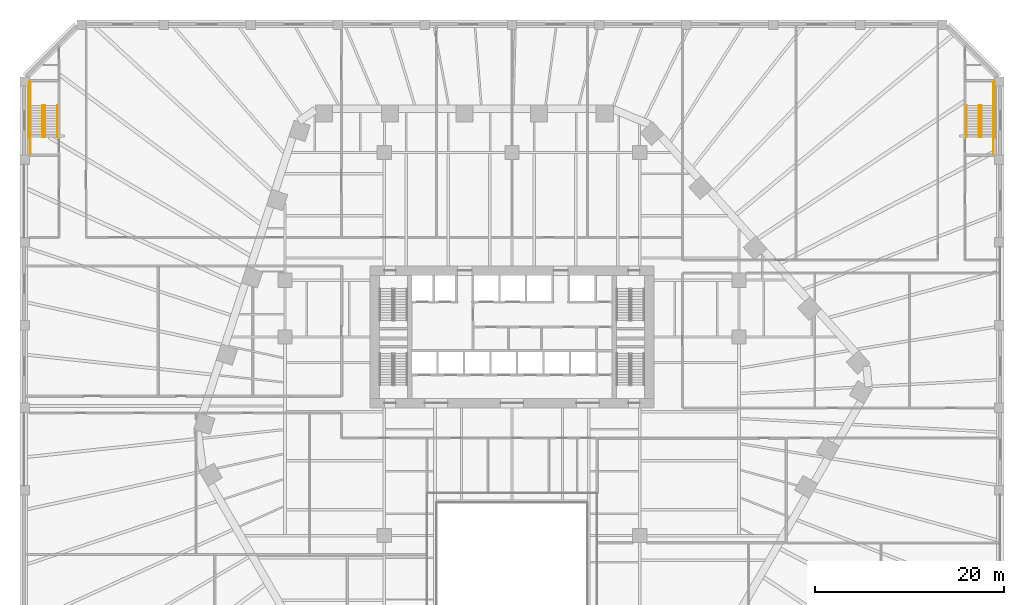
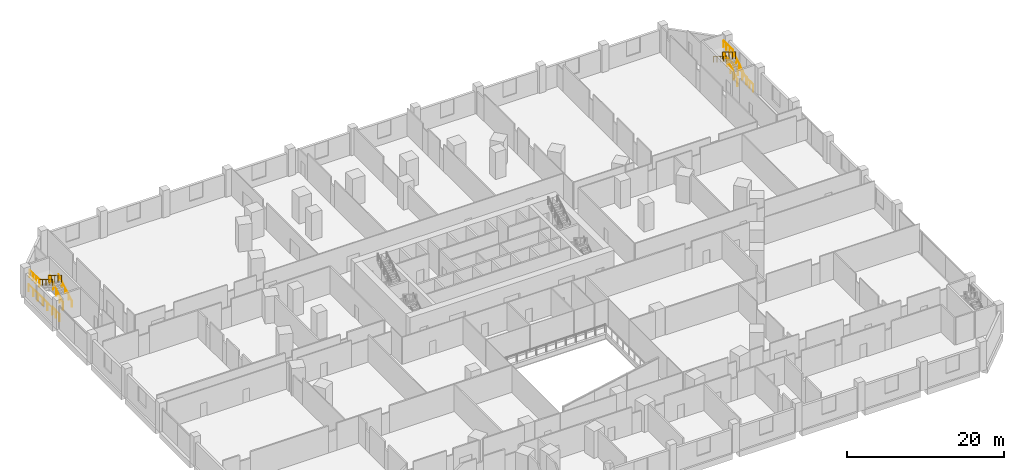
# One storey, part 29 of 29: 14 railings.
"""IFC4 building model written with IfcOpenShell, lengths in metres."""

from ifc_helpers import new_model, si_unit, direction, frame, origin, origin_2d, place, context, subcontext, project, spatial, circle, extrude, material, type_object, element, save


model = new_model("IFC4")

# Units and contexts
model_context = context("Model", 3, precision=1e-05, world=origin(), true_north=direction((0.0, 1.0)))
body_context = subcontext(model_context, "Body", "Model", "MODEL_VIEW")
ifc_project = project(units=[si_unit("LENGTHUNIT", "METRE"), si_unit("AREAUNIT", "SQUARE_METRE"), si_unit("VOLUMEUNIT", "CUBIC_METRE"), si_unit("PLANEANGLEUNIT", "RADIAN"), si_unit("MASSUNIT", "GRAM", prefix="KILO")], contexts=[model_context])

# Site, building, storey
site_placement = place(None, origin())
site = spatial("IfcSite", under=ifc_project, at=site_placement, CompositionType="ELEMENT")
building_placement = place(site_placement, origin())
building = spatial("IfcBuilding", under=site, at=building_placement, Name="Isthmus Gate Tower", CompositionType="ELEMENT")
storey_placement = place(building_placement, frame((0.0, 0.0, 27.0)))
storey = spatial("IfcBuildingStorey", under=building, at=storey_placement, Name="L04", CompositionType="ELEMENT", Elevation=27.0)

# Railings
ifc_material_1 = material(Name="Painted steel balusters with timber handrail", Category="steel")
railing_type_1 = type_object("IfcRailingType", Name="Podium stair guard 1100", PredefinedType="GUARDRAIL", material=ifc_material_1)
railing_1_placement = place(storey_placement, frame((49.60009765625, 28.625, 0.173095703125)))
element("IfcRailing", 1, at=railing_1_placement, inside=storey, type_object=railing_type_1, Name="L04 ST5 stair guard 1", PredefinedType="GUARDRAIL", context=body_context, shape_type="SweptSolid", body=[
    extrude(circle(Radius=0.02392578125, at=origin_2d()), frame((0.0, 0.0, 1.076171875), z_axis=(0.0, 0.850623216509, 0.525775754039), x_axis=(-1.0, 0.0, 0.0)), (0.0, 0.0, 1.0), 3.9501953125),
    extrude(circle(Radius=0.02099609375, at=origin_2d()), origin(), (0.0, 0.0, 1.0), 1.052001953125),
    extrude(circle(Radius=0.02099609375, at=origin_2d()), frame((0.0, 0.840087890625, 0.519287109375)), (0.0, 0.0, 1.0), 1.052001953125),
    extrude(circle(Radius=0.02099609375, at=origin_2d()), frame((0.0, 1.68017578125, 1.03857421875)), (0.0, 0.0, 1.0), 1.052001953125),
    extrude(circle(Radius=0.02099609375, at=origin_2d()), frame((0.0, 2.52001953125, 1.5576171875)), (0.0, 0.0, 1.0), 1.052001953125),
    extrude(circle(Radius=0.02099609375, at=origin_2d()), frame((0.0, 3.360107421875, 2.076904296875)), (0.0, 0.0, 1.0), 1.052001953125),
])
railing_2_placement = place(storey_placement, frame((50.89990234375, 31.985107421875, 2.25)))
element("IfcRailing", 2, at=railing_2_placement, inside=storey, type_object=railing_type_1, Name="L04 ST5 stair guard 2", PredefinedType="GUARDRAIL", context=body_context, shape_type="SweptSolid", body=[
    extrude(circle(Radius=0.02392578125, at=origin_2d()), frame((0.0, 0.0, 1.076171875), z_axis=(0.0, 1.0, 0.0), x_axis=(-1.0, 0.0, 0.0)), (0.0, 0.0, 1.0), 2.43994140625),
    extrude(circle(Radius=0.02099609375, at=origin_2d()), origin(), (0.0, 0.0, 1.0), 1.052001953125),
    extrude(circle(Radius=0.02099609375, at=origin_2d()), frame((0.0, 0.813232421875, 0.0)), (0.0, 0.0, 1.0), 1.052001953125),
    extrude(circle(Radius=0.02099609375, at=origin_2d()), frame((0.0, 1.626708984375, 0.0)), (0.0, 0.0, 1.0), 1.052001953125),
    extrude(circle(Radius=0.02099609375, at=origin_2d()), frame((0.0, 2.43994140625, 0.0)), (0.0, 0.0, 1.0), 1.052001953125),
])
railing_3_placement = place(storey_placement, frame((49.35009765625, 31.985107421875, 2.423095703125)))
element("IfcRailing", 3, at=railing_3_placement, inside=storey, type_object=railing_type_1, Name="L04 ST5 stair guard 3", PredefinedType="GUARDRAIL", context=body_context, shape_type="SweptSolid", body=[
    extrude(circle(Radius=0.02392578125, at=origin_2d()), frame((0.0, 0.0, 1.076171875), z_axis=(0.0, -0.850623216509, 0.525775754039), x_axis=(1.0, 0.0, 0.0)), (0.0, 0.0, 1.0), 3.9501953125),
    extrude(circle(Radius=0.02099609375, at=origin_2d()), origin(), (0.0, 0.0, 1.0), 1.052001953125),
    extrude(circle(Radius=0.02099609375, at=origin_2d()), frame((0.0, -0.840087890625, 0.519287109375)), (0.0, 0.0, 1.0), 1.052001953125),
    extrude(circle(Radius=0.02099609375, at=origin_2d()), frame((0.0, -1.68017578125, 1.03857421875)), (0.0, 0.0, 1.0), 1.052001953125),
    extrude(circle(Radius=0.02099609375, at=origin_2d()), frame((0.0, -2.52001953125, 1.5576171875)), (0.0, 0.0, 1.0), 1.052001953125),
    extrude(circle(Radius=0.02099609375, at=origin_2d()), frame((0.0, -3.360107421875, 2.076904296875)), (0.0, 0.0, 1.0), 1.052001953125),
])
railing_4_placement = place(storey_placement, frame((50.89990234375, 26.824951171875, 0.0)))
element("IfcRailing", 4, at=railing_4_placement, inside=storey, type_object=railing_type_1, Name="L04 ST5 stair guard 4", PredefinedType="GUARDRAIL", context=body_context, shape_type="SweptSolid", body=[
    extrude(circle(Radius=0.02392578125, at=origin_2d()), frame((0.0, 0.0, 1.076171875), z_axis=(0.0, 1.0, 0.0), x_axis=(-1.0, 0.0, 0.0)), (0.0, 0.0, 1.0), 1.800048828125),
    extrude(circle(Radius=0.02099609375, at=origin_2d()), origin(), (0.0, 0.0, 1.0), 1.052001953125),
    extrude(circle(Radius=0.02099609375, at=origin_2d()), frame((0.0, 0.89990234375, 0.0)), (0.0, 0.0, 1.0), 1.052001953125),
    extrude(circle(Radius=0.02099609375, at=origin_2d()), frame((0.0, 1.800048828125, 0.0)), (0.0, 0.0, 1.0), 1.052001953125),
])
railing_5_placement = place(storey_placement, frame((51.0, 28.52490234375, 0.0)))
element("IfcRailing", 5, at=railing_5_placement, inside=storey, type_object=railing_type_1, Name="L04 ST5 stair guard 5", PredefinedType="GUARDRAIL", context=body_context, shape_type="SweptSolid", body=[
    extrude(circle(Radius=0.02392578125, at=origin_2d()), frame((0.0, 0.0, 1.076171875), z_axis=(0.0, 1.0, 0.0), x_axis=(-1.0, 0.0, 0.0)), (0.0, 0.0, 1.0), 6.0),
    extrude(circle(Radius=0.02099609375, at=origin_2d()), origin(), (0.0, 0.0, 1.0), 1.052001953125),
    extrude(circle(Radius=0.02099609375, at=origin_2d()), frame((0.0, 1.199951171875, 0.0)), (0.0, 0.0, 1.0), 1.052001953125),
    extrude(circle(Radius=0.02099609375, at=origin_2d()), frame((0.0, 2.39990234375, 0.0)), (0.0, 0.0, 1.0), 1.052001953125),
    extrude(circle(Radius=0.02099609375, at=origin_2d()), frame((0.0, 3.60009765625, 0.0)), (0.0, 0.0, 1.0), 1.052001953125),
    extrude(circle(Radius=0.02099609375, at=origin_2d()), frame((0.0, 4.800048828125, 0.0)), (0.0, 0.0, 1.0), 1.052001953125),
    extrude(circle(Radius=0.02099609375, at=origin_2d()), frame((0.0, 6.0, 0.0)), (0.0, 0.0, 1.0), 1.052001953125),
])
railing_6_placement = place(storey_placement, frame((-49.35009765625, 28.625, 0.173095703125)))
element("IfcRailing", 6, at=railing_6_placement, inside=storey, type_object=railing_type_1, Name="L04 ST6 stair guard 1", PredefinedType="GUARDRAIL", context=body_context, shape_type="SweptSolid", body=[
    extrude(circle(Radius=0.02392578125, at=origin_2d()), frame((0.0, 0.0, 1.076171875), z_axis=(0.0, 0.850623216509, 0.525775754039), x_axis=(-1.0, 0.0, 0.0)), (0.0, 0.0, 1.0), 3.9501953125),
    extrude(circle(Radius=0.02099609375, at=origin_2d()), origin(), (0.0, 0.0, 1.0), 1.052001953125),
    extrude(circle(Radius=0.02099609375, at=origin_2d()), frame((0.0, 0.840087890625, 0.519287109375)), (0.0, 0.0, 1.0), 1.052001953125),
    extrude(circle(Radius=0.02099609375, at=origin_2d()), frame((0.0, 1.68017578125, 1.03857421875)), (0.0, 0.0, 1.0), 1.052001953125),
    extrude(circle(Radius=0.02099609375, at=origin_2d()), frame((0.0, 2.52001953125, 1.5576171875)), (0.0, 0.0, 1.0), 1.052001953125),
    extrude(circle(Radius=0.02099609375, at=origin_2d()), frame((0.0, 3.360107421875, 2.076904296875)), (0.0, 0.0, 1.0), 1.052001953125),
])
railing_7_placement = place(storey_placement, frame((-50.89990234375, 31.985107421875, 2.25)))
element("IfcRailing", 7, at=railing_7_placement, inside=storey, type_object=railing_type_1, Name="L04 ST6 stair guard 2", PredefinedType="GUARDRAIL", context=body_context, shape_type="SweptSolid", body=[
    extrude(circle(Radius=0.02392578125, at=origin_2d()), frame((0.0, 0.0, 1.076171875), z_axis=(0.0, 1.0, 0.0), x_axis=(-1.0, 0.0, 0.0)), (0.0, 0.0, 1.0), 2.43994140625),
    extrude(circle(Radius=0.02099609375, at=origin_2d()), origin(), (0.0, 0.0, 1.0), 1.052001953125),
    extrude(circle(Radius=0.02099609375, at=origin_2d()), frame((0.0, 0.813232421875, 0.0)), (0.0, 0.0, 1.0), 1.052001953125),
    extrude(circle(Radius=0.02099609375, at=origin_2d()), frame((0.0, 1.626708984375, 0.0)), (0.0, 0.0, 1.0), 1.052001953125),
    extrude(circle(Radius=0.02099609375, at=origin_2d()), frame((0.0, 2.43994140625, 0.0)), (0.0, 0.0, 1.0), 1.052001953125),
])
railing_8_placement = place(storey_placement, frame((-49.60009765625, 31.985107421875, 2.423095703125)))
element("IfcRailing", 8, at=railing_8_placement, inside=storey, type_object=railing_type_1, Name="L04 ST6 stair guard 3", PredefinedType="GUARDRAIL", context=body_context, shape_type="SweptSolid", body=[
    extrude(circle(Radius=0.02392578125, at=origin_2d()), frame((0.0, 0.0, 1.076171875), z_axis=(0.0, -0.850623216509, 0.525775754039), x_axis=(1.0, 0.0, 0.0)), (0.0, 0.0, 1.0), 3.9501953125),
    extrude(circle(Radius=0.02099609375, at=origin_2d()), origin(), (0.0, 0.0, 1.0), 1.052001953125),
    extrude(circle(Radius=0.02099609375, at=origin_2d()), frame((0.0, -0.840087890625, 0.519287109375)), (0.0, 0.0, 1.0), 1.052001953125),
    extrude(circle(Radius=0.02099609375, at=origin_2d()), frame((0.0, -1.68017578125, 1.03857421875)), (0.0, 0.0, 1.0), 1.052001953125),
    extrude(circle(Radius=0.02099609375, at=origin_2d()), frame((0.0, -2.52001953125, 1.5576171875)), (0.0, 0.0, 1.0), 1.052001953125),
    extrude(circle(Radius=0.02099609375, at=origin_2d()), frame((0.0, -3.360107421875, 2.076904296875)), (0.0, 0.0, 1.0), 1.052001953125),
])
railing_9_placement = place(storey_placement, frame((-50.89990234375, 26.824951171875, 0.0)))
element("IfcRailing", 9, at=railing_9_placement, inside=storey, type_object=railing_type_1, Name="L04 ST6 stair guard 4", PredefinedType="GUARDRAIL", context=body_context, shape_type="SweptSolid", body=[
    extrude(circle(Radius=0.02392578125, at=origin_2d()), frame((0.0, 0.0, 1.076171875), z_axis=(0.0, 1.0, 0.0), x_axis=(-1.0, 0.0, 0.0)), (0.0, 0.0, 1.0), 1.800048828125),
    extrude(circle(Radius=0.02099609375, at=origin_2d()), origin(), (0.0, 0.0, 1.0), 1.052001953125),
    extrude(circle(Radius=0.02099609375, at=origin_2d()), frame((0.0, 0.89990234375, 0.0)), (0.0, 0.0, 1.0), 1.052001953125),
    extrude(circle(Radius=0.02099609375, at=origin_2d()), frame((0.0, 1.800048828125, 0.0)), (0.0, 0.0, 1.0), 1.052001953125),
])
railing_10_placement = place(storey_placement, frame((-51.0, 28.52490234375, 0.0)))
element("IfcRailing", 10, at=railing_10_placement, inside=storey, type_object=railing_type_1, Name="L04 ST6 stair guard 5", PredefinedType="GUARDRAIL", context=body_context, shape_type="SweptSolid", body=[
    extrude(circle(Radius=0.02392578125, at=origin_2d()), frame((0.0, 0.0, 1.076171875), z_axis=(0.0, 1.0, 0.0), x_axis=(-1.0, 0.0, 0.0)), (0.0, 0.0, 1.0), 6.0),
    extrude(circle(Radius=0.02099609375, at=origin_2d()), origin(), (0.0, 0.0, 1.0), 1.052001953125),
    extrude(circle(Radius=0.02099609375, at=origin_2d()), frame((0.0, 1.199951171875, 0.0)), (0.0, 0.0, 1.0), 1.052001953125),
    extrude(circle(Radius=0.02099609375, at=origin_2d()), frame((0.0, 2.39990234375, 0.0)), (0.0, 0.0, 1.0), 1.052001953125),
    extrude(circle(Radius=0.02099609375, at=origin_2d()), frame((0.0, 3.60009765625, 0.0)), (0.0, 0.0, 1.0), 1.052001953125),
    extrude(circle(Radius=0.02099609375, at=origin_2d()), frame((0.0, 4.800048828125, 0.0)), (0.0, 0.0, 1.0), 1.052001953125),
    extrude(circle(Radius=0.02099609375, at=origin_2d()), frame((0.0, 6.0, 0.0)), (0.0, 0.0, 1.0), 1.052001953125),
])
ifc_material_2 = material(Name="Stainless steel tube", Category="steel")
railing_type_2 = type_object("IfcRailingType", Name="Podium stair handrail 900", PredefinedType="HANDRAIL", material=ifc_material_2)
railing_11_placement = place(storey_placement, frame((50.89990234375, 28.625, 0.173095703125)))
element("IfcRailing", 11, at=railing_11_placement, inside=storey, type_object=railing_type_2, Name="L04 ST5 stair handrail 1", PredefinedType="HANDRAIL", context=body_context, shape_type="SweptSolid", body=[
    extrude(circle(Radius=0.02392578125, at=origin_2d()), frame((0.0, 0.0, 0.8759765625), z_axis=(0.0, 0.850623216509, 0.525775754039), x_axis=(-1.0, 0.0, 0.0)), (0.0, 0.0, 1.0), 3.9501953125),
    extrude(circle(Radius=0.02099609375, at=origin_2d()), origin(), (0.0, 0.0, 1.0), 0.851806640625),
    extrude(circle(Radius=0.02099609375, at=origin_2d()), frame((0.0, 0.840087890625, 0.519287109375)), (0.0, 0.0, 1.0), 0.851806640625),
    extrude(circle(Radius=0.02099609375, at=origin_2d()), frame((0.0, 1.68017578125, 1.03857421875)), (0.0, 0.0, 1.0), 0.851806640625),
    extrude(circle(Radius=0.02099609375, at=origin_2d()), frame((0.0, 2.52001953125, 1.5576171875)), (0.0, 0.0, 1.0), 0.851806640625),
    extrude(circle(Radius=0.02099609375, at=origin_2d()), frame((0.0, 3.360107421875, 2.076904296875)), (0.0, 0.0, 1.0), 0.851806640625),
])
railing_12_placement = place(storey_placement, frame((48.050048828125, 31.985107421875, 2.423095703125)))
element("IfcRailing", 12, at=railing_12_placement, inside=storey, type_object=railing_type_2, Name="L04 ST5 stair handrail 2", PredefinedType="HANDRAIL", context=body_context, shape_type="SweptSolid", body=[
    extrude(circle(Radius=0.02392578125, at=origin_2d()), frame((0.0, 0.0, 0.8759765625), z_axis=(0.0, -0.850623216509, 0.525775754039), x_axis=(1.0, 0.0, 0.0)), (0.0, 0.0, 1.0), 3.9501953125),
    extrude(circle(Radius=0.02099609375, at=origin_2d()), origin(), (0.0, 0.0, 1.0), 0.851806640625),
    extrude(circle(Radius=0.02099609375, at=origin_2d()), frame((0.0, -0.840087890625, 0.519287109375)), (0.0, 0.0, 1.0), 0.851806640625),
    extrude(circle(Radius=0.02099609375, at=origin_2d()), frame((0.0, -1.68017578125, 1.03857421875)), (0.0, 0.0, 1.0), 0.851806640625),
    extrude(circle(Radius=0.02099609375, at=origin_2d()), frame((0.0, -2.52001953125, 1.5576171875)), (0.0, 0.0, 1.0), 0.851806640625),
    extrude(circle(Radius=0.02099609375, at=origin_2d()), frame((0.0, -3.360107421875, 2.076904296875)), (0.0, 0.0, 1.0), 0.851806640625),
])
railing_13_placement = place(storey_placement, frame((-48.050048828125, 28.625, 0.173095703125)))
element("IfcRailing", 13, at=railing_13_placement, inside=storey, type_object=railing_type_2, Name="L04 ST6 stair handrail 1", PredefinedType="HANDRAIL", context=body_context, shape_type="SweptSolid", body=[
    extrude(circle(Radius=0.02392578125, at=origin_2d()), frame((0.0, 0.0, 0.8759765625), z_axis=(0.0, 0.850623216509, 0.525775754039), x_axis=(-1.0, 0.0, 0.0)), (0.0, 0.0, 1.0), 3.9501953125),
    extrude(circle(Radius=0.02099609375, at=origin_2d()), origin(), (0.0, 0.0, 1.0), 0.851806640625),
    extrude(circle(Radius=0.02099609375, at=origin_2d()), frame((0.0, 0.840087890625, 0.519287109375)), (0.0, 0.0, 1.0), 0.851806640625),
    extrude(circle(Radius=0.02099609375, at=origin_2d()), frame((0.0, 1.68017578125, 1.03857421875)), (0.0, 0.0, 1.0), 0.851806640625),
    extrude(circle(Radius=0.02099609375, at=origin_2d()), frame((0.0, 2.52001953125, 1.5576171875)), (0.0, 0.0, 1.0), 0.851806640625),
    extrude(circle(Radius=0.02099609375, at=origin_2d()), frame((0.0, 3.360107421875, 2.076904296875)), (0.0, 0.0, 1.0), 0.851806640625),
])
railing_14_placement = place(storey_placement, frame((-50.89990234375, 31.985107421875, 2.423095703125)))
element("IfcRailing", 14, at=railing_14_placement, inside=storey, type_object=railing_type_2, Name="L04 ST6 stair handrail 2", PredefinedType="HANDRAIL", context=body_context, shape_type="SweptSolid", body=[
    extrude(circle(Radius=0.02392578125, at=origin_2d()), frame((0.0, 0.0, 0.8759765625), z_axis=(0.0, -0.850623216509, 0.525775754039), x_axis=(1.0, 0.0, 0.0)), (0.0, 0.0, 1.0), 3.9501953125),
    extrude(circle(Radius=0.02099609375, at=origin_2d()), origin(), (0.0, 0.0, 1.0), 0.851806640625),
    extrude(circle(Radius=0.02099609375, at=origin_2d()), frame((0.0, -0.840087890625, 0.519287109375)), (0.0, 0.0, 1.0), 0.851806640625),
    extrude(circle(Radius=0.02099609375, at=origin_2d()), frame((0.0, -1.68017578125, 1.03857421875)), (0.0, 0.0, 1.0), 0.851806640625),
    extrude(circle(Radius=0.02099609375, at=origin_2d()), frame((0.0, -2.52001953125, 1.5576171875)), (0.0, 0.0, 1.0), 0.851806640625),
    extrude(circle(Radius=0.02099609375, at=origin_2d()), frame((0.0, -3.360107421875, 2.076904296875)), (0.0, 0.0, 1.0), 0.851806640625),
])

save(model, "model.ifc")
